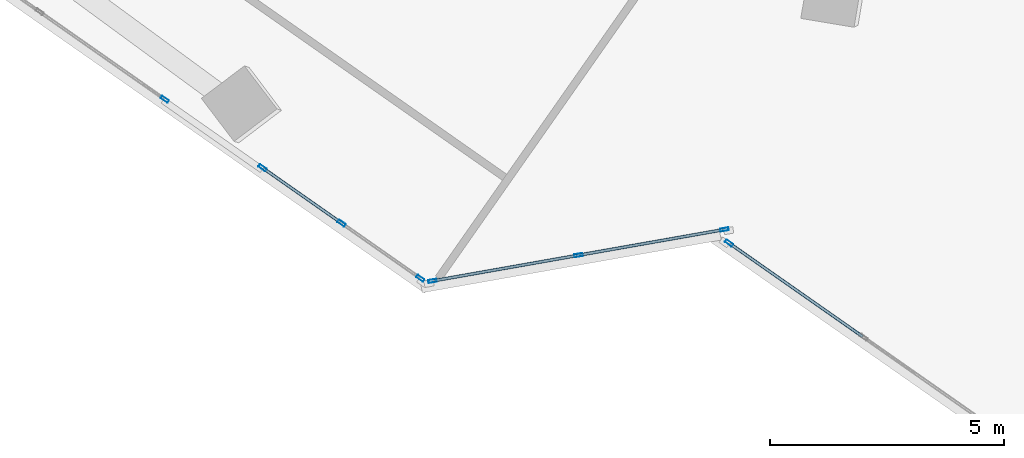
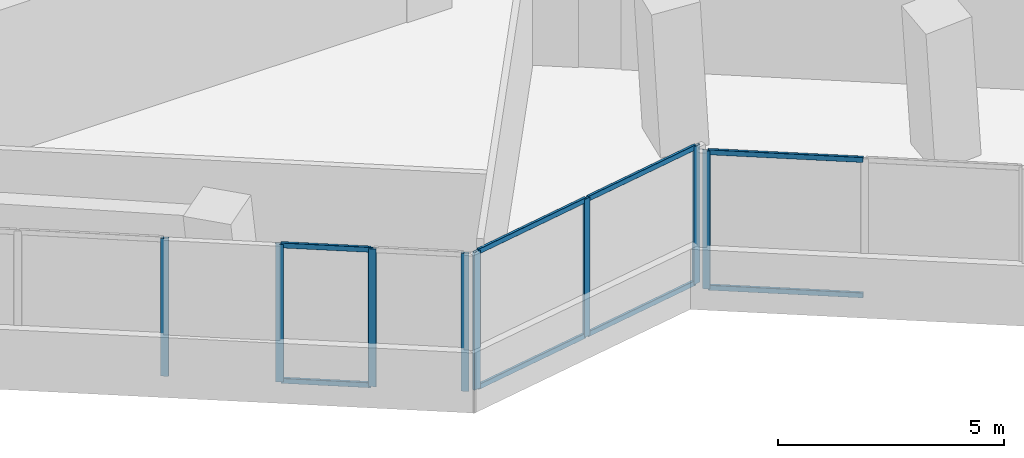
# One storey, part 5 of 22: 16 members, 4 elements without a shape of their own.
"""IFC4 building model written with IfcOpenShell, lengths in metres."""

from ifc_helpers import new_model, si_unit, direction, frame, origin, origin_2d, place, context, subcontext, project, spatial, hollow_rectangle, extrude, source, transform, mapped, material, material_profile, profile_set, type_object, element, aggregate, save


model = new_model("IFC4")

# Units and contexts
model_context = context("Model", 3, precision=1e-05, world=origin(), true_north=direction((0.0, 1.0)))
body_context = subcontext(model_context, "Body", "Model", "MODEL_VIEW")
ifc_project = project(units=[si_unit("LENGTHUNIT", "METRE"), si_unit("AREAUNIT", "SQUARE_METRE"), si_unit("VOLUMEUNIT", "CUBIC_METRE"), si_unit("PLANEANGLEUNIT", "RADIAN"), si_unit("MASSUNIT", "GRAM", prefix="KILO")], contexts=[model_context])

# Site, building, storey
site_placement = place(None, origin())
site = spatial("IfcSite", under=ifc_project, at=site_placement, CompositionType="ELEMENT")
building_placement = place(site_placement, origin())
building = spatial("IfcBuilding", under=site, at=building_placement, Name="Torre Montelarca", CompositionType="ELEMENT")
storey_placement = place(building_placement, frame((0.0, 0.0, 196.0)))
storey = spatial("IfcBuildingStorey", under=building, at=storey_placement, Name="L44", CompositionType="ELEMENT", Elevation=196.0)

# Curtain wall, members
ifc_material_1 = material(Name="Insulated low-E laminated glass", Category="glass")
curtain_wall_type = type_object("IfcCurtainWallType", Name="CW-SYS-Z2", PredefinedType="USERDEFINED", material=ifc_material_1)
curtain_wall_1_placement = place(storey_placement, origin())
curtain_wall_1 = element("IfcCurtainWall", 1, at=curtain_wall_1_placement, inside=storey, type_object=curtain_wall_type, Name="L44 Curtain Wall Run CW-T3-L44-E02-B1", ObjectType="UNITISED GLAZING", PredefinedType="USERDEFINED")
ifc_material_2 = material(Name="Anodised aluminium AA 6063-T6", Category="aluminium")
ifc_material_profile_1 = material_profile(ifc_material_2, hollow_rectangle(XDim=0.06494140625, YDim=0.139892578125, WallThickness=0.00390625, InnerFilletRadius=0.00390625, OuterFilletRadius=0.008056640625, at=origin_2d()), Name="ALU65X140X4", Category="aluminium")
ifc_profile_set_1 = profile_set([ifc_material_profile_1], Name="Anodised aluminium AA 6063-T6")
member_type_1 = type_object("IfcMemberType", Name="CWT-ALU140", PredefinedType="USERDEFINED", material=ifc_profile_set_1)
shared_shape_1 = source(origin(), body_context, "Body", "SweptSolid", [
    extrude(hollow_rectangle(XDim=0.06494140625, YDim=0.139892578125, WallThickness=0.00390625, InnerFilletRadius=0.00390625, OuterFilletRadius=0.008056640625, at=origin_2d()), origin(), (0.0, 0.0, 1.0), 3.102294921875),
])
member_1_placement = place(storey_placement, frame((20.194580078125, 11.007568359375, 0.032470703125), z_axis=(0.984815232543, 0.173605753795, 0.0), x_axis=(-0.173605753795, 0.984815232543, 0.0)))
member_1 = element("IfcMember", 2, at=member_1_placement, type_object=member_type_1, Name="CW transom 1.1", ObjectType="TRANSOM", PredefinedType="USERDEFINED", context=body_context, shape_type="MappedRepresentation", body=[
    mapped(shared_shape_1, transform((0.0, 0.0, 0.0), scale=1.0)),
])
member_2_placement = place(storey_placement, frame((20.194580078125, 11.007568359375, 3.6875), z_axis=(0.984815232543, 0.173605753795, 0.0), x_axis=(-0.173605753795, 0.984815232543, 0.0)))
member_2 = element("IfcMember", 3, at=member_2_placement, type_object=member_type_1, Name="CW transom 1.2", ObjectType="TRANSOM", PredefinedType="USERDEFINED", context=body_context, shape_type="MappedRepresentation", body=[
    mapped(shared_shape_1, transform((0.0, 0.0, 0.0), scale=1.0)),
])
member_3_placement = place(storey_placement, frame((23.313720703125, 11.5576171875, 0.032470703125), z_axis=(0.984815232543, 0.173605753795, 0.0), x_axis=(-0.173605753795, 0.984815232543, 0.0)))
member_3 = element("IfcMember", 4, at=member_3_placement, type_object=member_type_1, Name="CW transom 2.1", ObjectType="TRANSOM", PredefinedType="USERDEFINED", context=body_context, shape_type="MappedRepresentation", body=[
    mapped(shared_shape_1, transform((0.0, 0.0, 0.0), scale=1.0)),
])
member_4_placement = place(storey_placement, frame((23.313720703125, 11.5576171875, 3.6875), z_axis=(0.984815232543, 0.173605753795, 0.0), x_axis=(-0.173605753795, 0.984815232543, 0.0)))
member_4 = element("IfcMember", 5, at=member_4_placement, type_object=member_type_1, Name="CW transom 2.2", ObjectType="TRANSOM", PredefinedType="USERDEFINED", context=body_context, shape_type="MappedRepresentation", body=[
    mapped(shared_shape_1, transform((0.0, 0.0, 0.0), scale=1.0)),
])

# Curtain wall, member
curtain_wall_2_placement = place(storey_placement, origin())
curtain_wall_2 = element("IfcCurtainWall", 6, at=curtain_wall_2_placement, inside=storey, type_object=curtain_wall_type, Name="L44 Curtain Wall Run CW-T3-L44-E01-B2", ObjectType="UNITISED GLAZING", PredefinedType="USERDEFINED")
ifc_material_profile_2 = material_profile(ifc_material_2, hollow_rectangle(XDim=0.06494140625, YDim=0.179931640625, WallThickness=0.00390625, InnerFilletRadius=0.00390625, OuterFilletRadius=0.008056640625, at=origin_2d()), Name="ALU65X180X4", Category="aluminium")
ifc_profile_set_2 = profile_set([ifc_material_profile_2], Name="Anodised aluminium AA 6063-T6")
member_type_2 = type_object("IfcMemberType", Name="CWM-ALU180", PredefinedType="MULLION", material=ifc_profile_set_2)
shared_shape_2 = source(origin(), body_context, "Body", "SweptSolid", [
    extrude(hollow_rectangle(XDim=0.06494140625, YDim=0.179931640625, WallThickness=0.00390625, InnerFilletRadius=0.00390625, OuterFilletRadius=0.008056640625, at=origin_2d()), origin(), (0.0, 0.0, 1.0), 3.719970703125),
])
member_5_placement = place(storey_placement, frame((14.441650390625, 14.883056640625, 0.0), z_axis=(0.0, 0.0, 1.0), x_axis=(0.573571337551, 0.819155614484, 0.0)))
member_5 = element("IfcMember", 7, at=member_5_placement, type_object=member_type_2, Name="CW mullion 3", PredefinedType="MULLION", context=body_context, shape_type="MappedRepresentation", body=[
    mapped(shared_shape_2, transform((0.0, 0.0, 0.0), scale=1.0)),
])
aggregate(curtain_wall_2, [member_5])

# Curtain wall, members
curtain_wall_3_placement = place(storey_placement, origin())
curtain_wall_3 = element("IfcCurtainWall", 8, at=curtain_wall_3_placement, inside=storey, type_object=curtain_wall_type, Name="L44 Curtain Wall Run CW-T3-L44-E01-B3", ObjectType="UNITISED GLAZING", PredefinedType="USERDEFINED")
member_6_placement = place(storey_placement, frame((16.53173828125, 13.419677734375, 0.0), z_axis=(0.0, 0.0, 1.0), x_axis=(0.573566721538, 0.819158846588, 0.0)))
member_6 = element("IfcMember", 9, at=member_6_placement, type_object=member_type_2, Name="CW mullion 1", PredefinedType="MULLION", context=body_context, shape_type="MappedRepresentation", body=[
    mapped(shared_shape_2, transform((0.0, 0.0, 0.0), scale=1.0)),
])
member_7_placement = place(storey_placement, frame((18.216796875, 12.23974609375, 0.0), z_axis=(0.0, 0.0, 1.0), x_axis=(0.573566721538, 0.819158846588, 0.0)))
member_7 = element("IfcMember", 10, at=member_7_placement, type_object=member_type_2, Name="CW mullion 2", PredefinedType="MULLION", context=body_context, shape_type="MappedRepresentation", body=[
    mapped(shared_shape_2, transform((0.0, 0.0, 0.0), scale=1.0)),
])
member_8_placement = place(storey_placement, frame((19.90185546875, 11.059814453125, 0.0), z_axis=(0.0, 0.0, 1.0), x_axis=(0.573566721538, 0.819158846588, 0.0)))
member_8 = element("IfcMember", 11, at=member_8_placement, type_object=member_type_2, Name="CW mullion 3", PredefinedType="MULLION", context=body_context, shape_type="MappedRepresentation", body=[
    mapped(shared_shape_2, transform((0.0, 0.0, 0.0), scale=1.0)),
])

# Member
member_9_placement = place(storey_placement, frame((20.16259765625, 11.001953125, 0.0), z_axis=(0.0, 0.0, 1.0), x_axis=(-0.173635574451, 0.984809975216, 0.0)))
member_9 = element("IfcMember", 12, at=member_9_placement, type_object=member_type_2, Name="CW mullion 1", PredefinedType="MULLION", context=body_context, shape_type="MappedRepresentation", body=[
    mapped(shared_shape_2, transform((0.0, 0.0, 0.0), scale=1.0)),
])

member_10_placement = place(storey_placement, frame((23.28173828125, 11.552001953125, 0.0), z_axis=(0.0, 0.0, 1.0), x_axis=(-0.173635574451, 0.984809975216, 0.0)))
member_10 = element("IfcMember", 13, at=member_10_placement, type_object=member_type_2, Name="CW mullion 2", PredefinedType="MULLION", context=body_context, shape_type="MappedRepresentation", body=[
    mapped(shared_shape_2, transform((0.0, 0.0, 0.0), scale=1.0)),
])

member_11_placement = place(storey_placement, frame((26.40087890625, 12.101806640625, 0.0), z_axis=(0.0, 0.0, 1.0), x_axis=(-0.173635574451, 0.984809975216, 0.0)))
member_11 = element("IfcMember", 14, at=member_11_placement, type_object=member_type_2, Name="CW mullion 3", PredefinedType="MULLION", context=body_context, shape_type="MappedRepresentation", body=[
    mapped(shared_shape_2, transform((0.0, 0.0, 0.0), scale=1.0)),
])

aggregate(curtain_wall_1, [member_9, member_10, member_11, member_1, member_2, member_3, member_4])

# Curtain wall, members
curtain_wall_4_placement = place(storey_placement, origin())
curtain_wall_4 = element("IfcCurtainWall", 15, at=curtain_wall_4_placement, inside=storey, type_object=curtain_wall_type, Name="L44 Curtain Wall Run CW-T3-L44-E04-B1", ObjectType="UNITISED GLAZING", PredefinedType="USERDEFINED")
member_12_placement = place(storey_placement, frame((26.4990234375, 11.811767578125, 0.0), z_axis=(0.0, 0.0, 1.0), x_axis=(0.57355791733, 0.819165011136, 0.0)))
member_12 = element("IfcMember", 16, at=member_12_placement, type_object=member_type_2, Name="CW mullion 1", PredefinedType="MULLION", context=body_context, shape_type="MappedRepresentation", body=[
    mapped(shared_shape_2, transform((0.0, 0.0, 0.0), scale=1.0)),
])
shared_shape_3 = source(origin(), body_context, "Body", "SweptSolid", [
    extrude(hollow_rectangle(XDim=0.06494140625, YDim=0.139892578125, WallThickness=0.00390625, InnerFilletRadius=0.00390625, OuterFilletRadius=0.008056640625, at=origin_2d()), origin(), (0.0, 0.0, 1.0), 3.44873046875),
])
member_13_placement = place(storey_placement, frame((26.525634765625, 11.79296875, 0.032470703125), z_axis=(0.819155417883, -0.573571618329, 0.0), x_axis=(0.573571618329, 0.819155417883, 0.0)))
member_13 = element("IfcMember", 17, at=member_13_placement, type_object=member_type_1, Name="CW transom 1.1", ObjectType="TRANSOM", PredefinedType="USERDEFINED", context=body_context, shape_type="MappedRepresentation", body=[
    mapped(shared_shape_3, transform((0.0, 0.0, 0.0), scale=1.0)),
])
member_14_placement = place(storey_placement, frame((26.525634765625, 11.79296875, 3.6875), z_axis=(0.819155417883, -0.573571618329, 0.0), x_axis=(0.573571618329, 0.819155417883, 0.0)))
member_14 = element("IfcMember", 18, at=member_14_placement, type_object=member_type_1, Name="CW transom 1.2", ObjectType="TRANSOM", PredefinedType="USERDEFINED", context=body_context, shape_type="MappedRepresentation", body=[
    mapped(shared_shape_3, transform((0.0, 0.0, 0.0), scale=1.0)),
])
aggregate(curtain_wall_4, [member_12, member_13, member_14])

# Member
shared_shape_4 = source(origin(), body_context, "Body", "SweptSolid", [
    extrude(hollow_rectangle(XDim=0.06494140625, YDim=0.139892578125, WallThickness=0.00390625, InnerFilletRadius=0.00390625, OuterFilletRadius=0.008056640625, at=origin_2d()), origin(), (0.0, 0.0, 1.0), 1.9921875),
])
member_15_placement = place(storey_placement, frame((16.558349609375, 13.40087890625, 0.032470703125), z_axis=(0.819162822725, -0.573561042841, 0.0), x_axis=(0.573561042841, 0.819162822725, 0.0)))
member_15 = element("IfcMember", 19, at=member_15_placement, type_object=member_type_1, Name="CW transom 1.1", ObjectType="TRANSOM", PredefinedType="USERDEFINED", context=body_context, shape_type="MappedRepresentation", body=[
    mapped(shared_shape_4, transform((0.0, 0.0, 0.0), scale=1.0)),
])

member_16_placement = place(storey_placement, frame((16.558349609375, 13.40087890625, 3.6875), z_axis=(0.819162822725, -0.573561042841, 0.0), x_axis=(0.573561042841, 0.819162822725, 0.0)))
member_16 = element("IfcMember", 20, at=member_16_placement, type_object=member_type_1, Name="CW transom 1.2", ObjectType="TRANSOM", PredefinedType="USERDEFINED", context=body_context, shape_type="MappedRepresentation", body=[
    mapped(shared_shape_4, transform((0.0, 0.0, 0.0), scale=1.0)),
])

aggregate(curtain_wall_3, [member_6, member_7, member_8, member_15, member_16])

save(model, "model.ifc")
